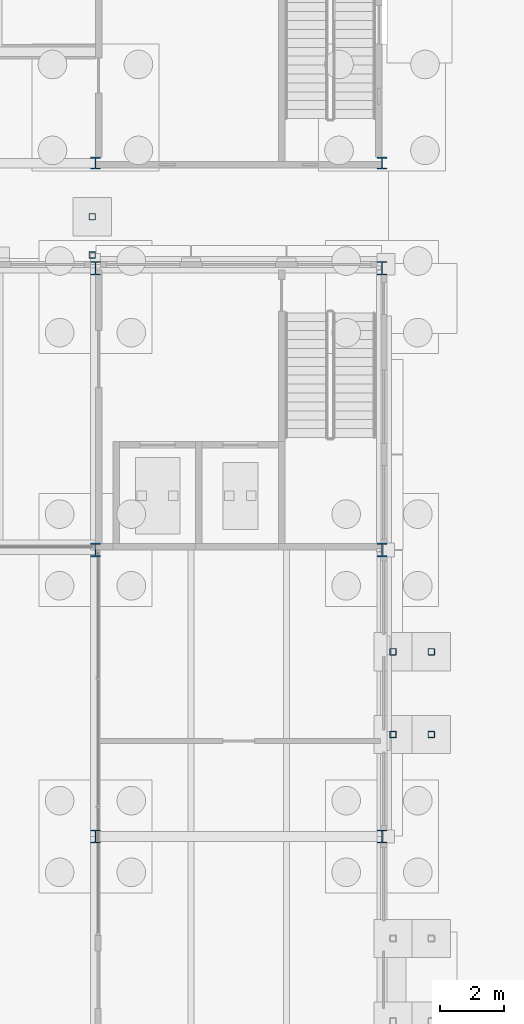
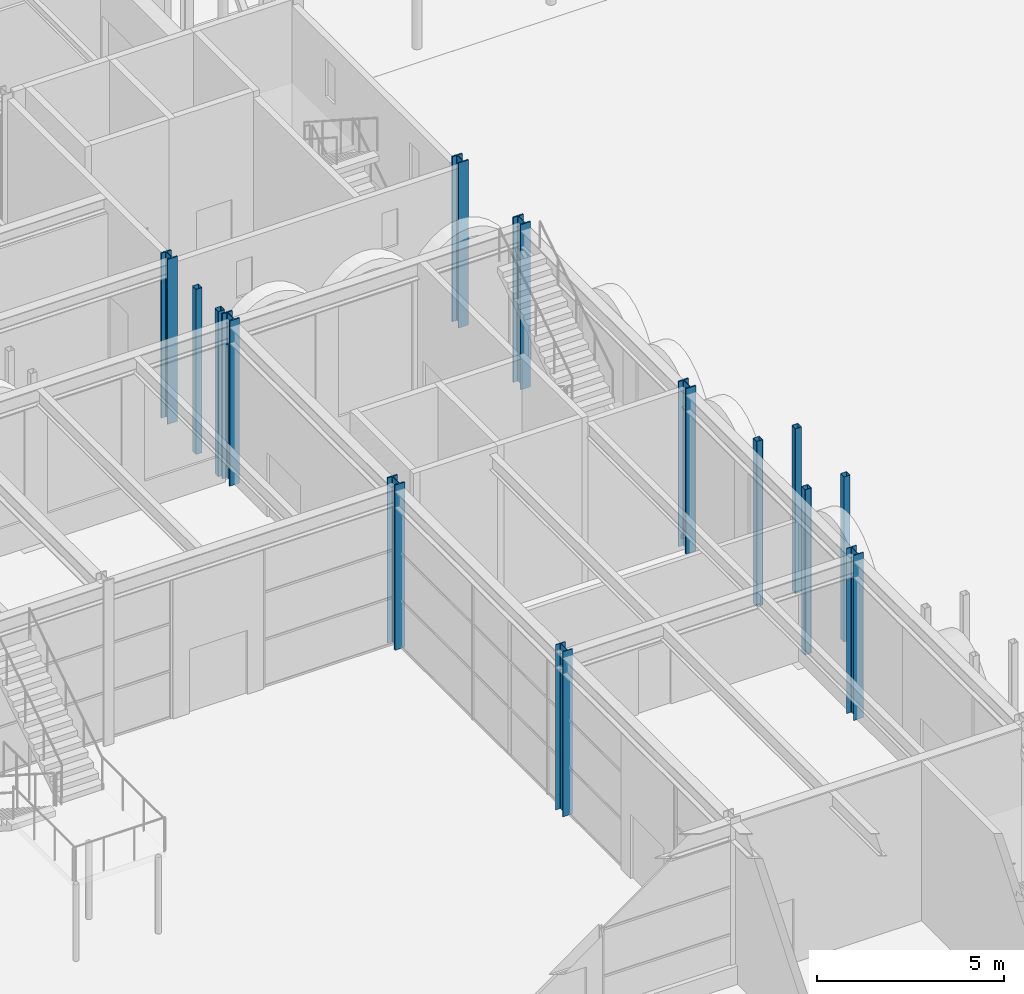
# One storey, part 22 of 126: 14 columns.
"""IFC4 building model written with IfcOpenShell, lengths in metres."""

from ifc_helpers import new_model, si_unit, direction, frame, origin, origin_2d, place, context, subcontext, project, spatial, hollow_rectangle, i_section, extrude, material, material_profile, profile_set, type_object, element, save


model = new_model("IFC4")

# Units and contexts
model_context = context("Model", 3, precision=1e-05, world=origin(), true_north=direction((0.0, 1.0)))
body_context = subcontext(model_context, "Body", "Model", "MODEL_VIEW")
ifc_project = project(units=[si_unit("LENGTHUNIT", "METRE"), si_unit("AREAUNIT", "SQUARE_METRE"), si_unit("VOLUMEUNIT", "CUBIC_METRE"), si_unit("PLANEANGLEUNIT", "RADIAN"), si_unit("MASSUNIT", "GRAM", prefix="KILO")], contexts=[model_context])

# Site, building, storey
site_placement = place(None, origin())
site = spatial("IfcSite", under=ifc_project, at=site_placement, CompositionType="ELEMENT")
building_placement = place(site_placement, origin())
building = spatial("IfcBuilding", under=site, at=building_placement, Name="Kallimachos Central Library", CompositionType="ELEMENT")
storey_placement = place(building_placement, origin())
storey = spatial("IfcBuildingStorey", under=building, at=storey_placement, Name="L00", CompositionType="ELEMENT", Elevation=0.0)

# Columns
ifc_material_1 = material(Name="Steel S355J2", Category="steel")
ifc_material_profile_1 = material_profile(ifc_material_1, i_section(OverallWidth=0.300048828125, OverallDepth=0.39990234375, WebThickness=0.013427734375, FlangeThickness=0.02392578125, FilletRadius=0.027099609375, at=origin_2d()), Name="HEB 400")
ifc_profile_set_1 = profile_set([ifc_material_profile_1], Name="Steel S355J2")
column_type_1 = type_object("IfcColumnType", Name="HEB 400 column", PredefinedType="COLUMN", material=ifc_profile_set_1)
for number, where, z_axis, x_axis, name in (
    (1, (101.5, 66.0, 0.0), (0.0, 0.0, 1.0), (1.0, 0.0, 0.0), "V4-COL-L00-016"),
    (2, (110.5, 66.0, 0.0), (0.0, 0.0, 1.0), (1.0, 0.0, 0.0), "V4-COL-L00-017"),
):
    element("IfcColumn", number, at=place(storey_placement, frame(where, z_axis=z_axis, x_axis=x_axis)), inside=storey, type_object=column_type_1, Name=name, PredefinedType="COLUMN", context=body_context, shape_type="SweptSolid", body=[
        extrude(i_section(OverallWidth=0.300048828125, OverallDepth=0.39990234375, WebThickness=0.013427734375, FlangeThickness=0.02392578125, FilletRadius=0.027099609375, at=origin_2d()), origin(), (0.0, 0.0, 1.0), 5.39990234375),
    ])
ifc_material_2 = material(Name="Steel S355J2", Category="steel")
ifc_material_profile_2 = material_profile(ifc_material_2, i_section(OverallWidth=0.30908203125, OverallDepth=0.376953125, WebThickness=0.02099609375, FlangeThickness=0.0400390625, FilletRadius=0.027099609375, at=origin_2d()), Name="HEM 340")
ifc_profile_set_2 = profile_set([ifc_material_profile_2], Name="Steel S355J2")
column_type_2 = type_object("IfcColumnType", Name="HEM 340 column", PredefinedType="COLUMN", material=ifc_profile_set_2)
for number, where, z_axis, x_axis, name in (
    (3, (101.5, 87.14990234375, 0.0), (0.0, 0.0, 1.0), (1.0, 0.0, 0.0), "V1-COL-L00-005"),
    (4, (110.5, 87.14990234375, 0.0), (0.0, 0.0, 1.0), (1.0, 0.0, 0.0), "V1-COL-L00-006"),
):
    element("IfcColumn", number, at=place(storey_placement, frame(where, z_axis=z_axis, x_axis=x_axis)), inside=storey, type_object=column_type_2, Name=name, PredefinedType="COLUMN", context=body_context, shape_type="SweptSolid", body=[
        extrude(i_section(OverallWidth=0.30908203125, OverallDepth=0.376953125, WebThickness=0.02099609375, FlangeThickness=0.0400390625, FilletRadius=0.027099609375, at=origin_2d()), origin(), (0.0, 0.0, 1.0), 5.39990234375),
    ])
ifc_material_3 = material(Name="Steel S355J2", Category="steel")
ifc_material_profile_3 = material_profile(ifc_material_3, i_section(OverallWidth=0.306884765625, OverallDepth=0.431884765625, WebThickness=0.02099609375, FlangeThickness=0.0400390625, FilletRadius=0.027099609375, at=origin_2d()), Name="HEM 400")
ifc_profile_set_3 = profile_set([ifc_material_profile_3], Name="Steel S355J2")
column_type_3 = type_object("IfcColumnType", Name="HEM 400 column", PredefinedType="COLUMN", material=ifc_profile_set_3)
for number, where, z_axis, x_axis, name in (
    (5, (101.5, 75.0, 0.0), (0.0, 0.0, 1.0), (1.0, 0.0, 0.0), "V4-COL-L00-020"),
    (6, (110.5, 75.0, 0.0), (0.0, 0.0, 1.0), (1.0, 0.0, 0.0), "V4-COL-L00-021"),
    (7, (101.5, 83.85009765625, 0.0), (0.0, 0.0, 1.0), (1.0, 0.0, 0.0), "V4-COL-L00-026"),
    (8, (110.5, 83.85009765625, 0.0), (0.0, 0.0, 1.0), (1.0, 0.0, 0.0), "V4-COL-L00-027"),
):
    element("IfcColumn", number, at=place(storey_placement, frame(where, z_axis=z_axis, x_axis=x_axis)), inside=storey, type_object=column_type_3, Name=name, PredefinedType="COLUMN", context=body_context, shape_type="SweptSolid", body=[
        extrude(i_section(OverallWidth=0.306884765625, OverallDepth=0.431884765625, WebThickness=0.02099609375, FlangeThickness=0.0400390625, FilletRadius=0.027099609375, at=origin_2d()), origin(), (0.0, 0.0, 1.0), 5.39990234375),
    ])
ifc_material_4 = material(Name="Steel S355J2H", Category="steel")
ifc_material_profile_4 = material_profile(ifc_material_4, hollow_rectangle(XDim=0.199951171875, YDim=0.199951171875, WallThickness=0.010009765625, InnerFilletRadius=0.010009765625, OuterFilletRadius=0.014892578125, at=origin_2d()), Name="SHS 200x200x10")
ifc_profile_set_4 = profile_set([ifc_material_profile_4], Name="Steel S355J2H")
column_type_4 = type_object("IfcColumnType", Name="SHS 200x200x10 column", PredefinedType="COLUMN", material=ifc_profile_set_4)
for number, where, z_axis, x_axis, name in (
    (9, (101.39990234375, 84.26611328125, 0.0), (0.0, 0.0, 1.0), (1.0, 0.0, 0.0), "Tribune bay N2 column 2"),
    (10, (101.39990234375, 85.466064453125, 0.0), (0.0, 0.0, 1.0), (1.0, 0.0, 0.0), "Tribune bay N2 column 4"),
    (11, (110.85009765625, 69.199951171875, 0.0), (0.0, 0.0, 1.0), (1.0, 0.0, 0.0), "Tribune bay E2 column 1"),
    (12, (110.85009765625, 71.800048828125, 0.0), (0.0, 0.0, 1.0), (1.0, 0.0, 0.0), "Tribune bay E2 column 2"),
    (13, (112.050048828125, 69.199951171875, 0.0), (0.0, 0.0, 1.0), (1.0, 0.0, 0.0), "Tribune bay E2 column 3"),
    (14, (112.050048828125, 71.800048828125, 0.0), (0.0, 0.0, 1.0), (1.0, 0.0, 0.0), "Tribune bay E2 column 4"),
):
    element("IfcColumn", number, at=place(storey_placement, frame(where, z_axis=z_axis, x_axis=x_axis)), inside=storey, type_object=column_type_4, Name=name, PredefinedType="COLUMN", context=body_context, shape_type="SweptSolid", body=[
        extrude(hollow_rectangle(XDim=0.199951171875, YDim=0.199951171875, WallThickness=0.010009765625, InnerFilletRadius=0.010009765625, OuterFilletRadius=0.014892578125, at=origin_2d()), origin(), (0.0, 0.0, 1.0), 5.39990234375),
    ])

save(model, "model.ifc")
